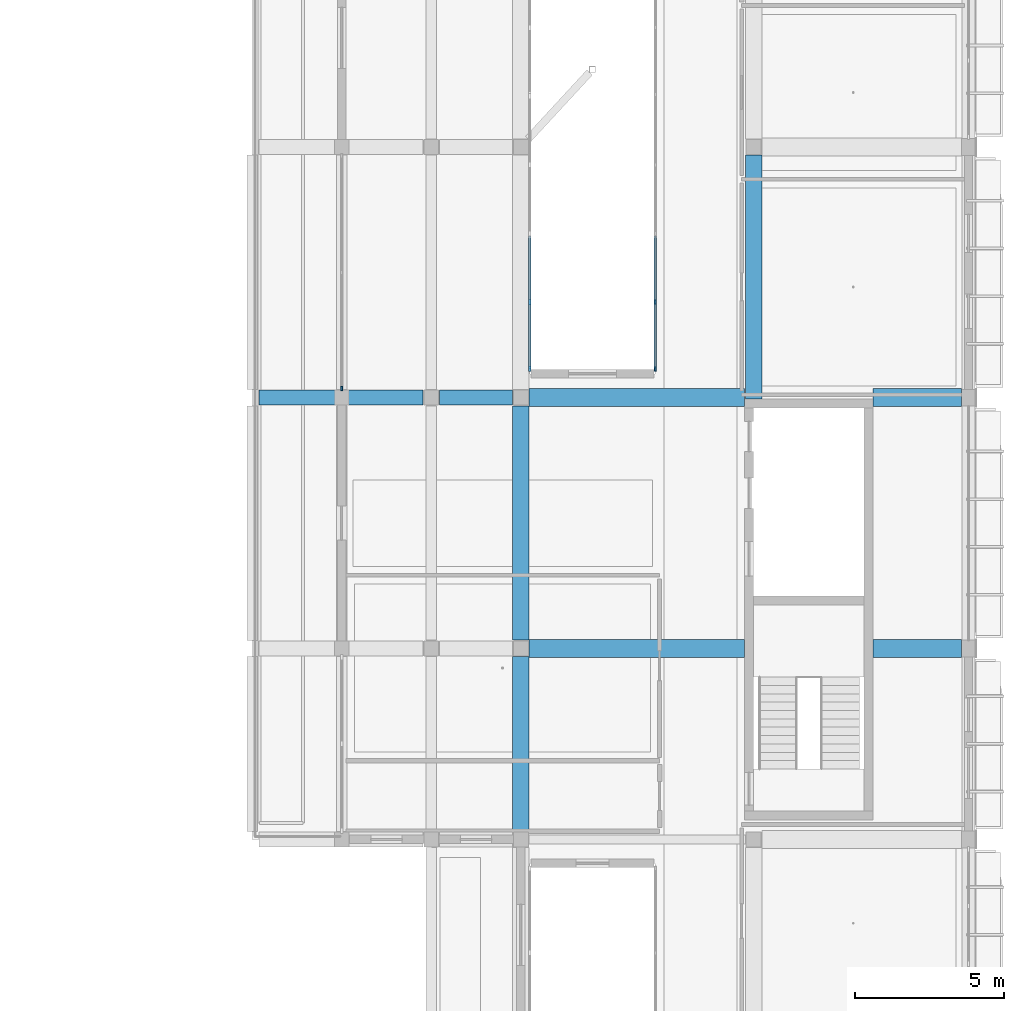
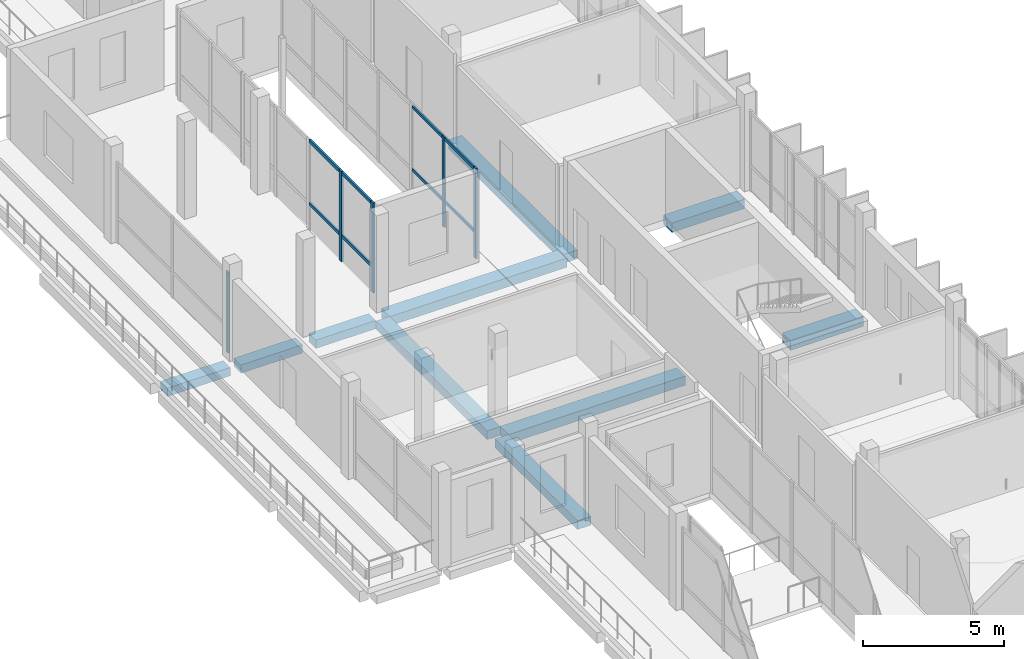
# One storey, part 23 of 85: 10 beams, 9 members, 3 elements without a shape of their own.
"""IFC4 building model written with IfcOpenShell, lengths in metres."""

from ifc_helpers import new_model, si_unit, derived_unit, direction, frame, origin, origin_2d, place, context, subcontext, project, spatial, rectangle, extrude, material, material_profile, profile_set, type_object, element, aggregate, save


model = new_model("IFC4")

# Units and contexts
model_context = context("Model", 3, precision=1e-05, world=origin(), true_north=direction((0.0, 1.0)))
body_context = subcontext(model_context, "Body", "Model", "MODEL_VIEW")
ifc_project = project(units=[si_unit("LENGTHUNIT", "METRE"), si_unit("AREAUNIT", "SQUARE_METRE"), si_unit("VOLUMEUNIT", "CUBIC_METRE"), si_unit("PLANEANGLEUNIT", "RADIAN"), si_unit("MASSUNIT", "GRAM", prefix="KILO"), derived_unit("THERMALTRANSMITTANCEUNIT", [(si_unit("POWERUNIT", "WATT"), 1), (si_unit("LENGTHUNIT", "METRE"), -2), (si_unit("THERMODYNAMICTEMPERATUREUNIT", "KELVIN"), -1)])], contexts=[model_context])

# Site, building, storey
site_placement = place(None, origin())
site = spatial("IfcSite", under=ifc_project, at=site_placement, CompositionType="ELEMENT")
building_placement = place(site_placement, origin())
building = spatial("IfcBuilding", under=site, at=building_placement, Name="Braskholm Square Health Centre", CompositionType="ELEMENT")
storey_placement = place(building_placement, frame((0.0, 0.0, 9.300048828125)))
storey = spatial("IfcBuildingStorey", under=building, at=storey_placement, Name="L03", CompositionType="ELEMENT", Elevation=9.300048828125)

# Curtain wall, member
ifc_material_1 = material(Name="Low-E triple insulating glass (VLT 0.64)", Category="glass")
curtain_wall_type_1 = type_object("IfcCurtainWallType", Name="UnitisedCurtainWall6200x3650", PredefinedType="NOTDEFINED", material=ifc_material_1)
curtain_wall_1_placement = place(storey_placement, origin())
curtain_wall_1 = element("IfcCurtainWall", 1, at=curtain_wall_1_placement, inside=storey, type_object=curtain_wall_type_1, Name="East Valley unitised curtain wall CW-L03-0126", PredefinedType="NOTDEFINED")
ifc_material_2 = material(Name="Architectural bronze anodised aluminium", Category="aluminium")
ifc_material_profile_1 = material_profile(ifc_material_2, rectangle(XDim=0.06494140625, YDim=0.14990234375, at=origin_2d()), Name="ALU-65X150")
ifc_profile_set_1 = profile_set([ifc_material_profile_1], Name="Architectural bronze anodised aluminium")
member_type_1 = type_object("IfcMemberType", Name="CurtainWallMullion65x150", PredefinedType="MULLION", material=ifc_profile_set_1)
member_1_placement = place(storey_placement, frame((142.800048828125, 64.107421875, 0.0), z_axis=(0.0, 0.0, 1.0), x_axis=(1.0, 0.0, 0.0)))
member_1 = element("IfcMember", 2, at=member_1_placement, type_object=member_type_1, Name="CW-L03-0126 vertical mullion 3", PredefinedType="MULLION", context=body_context, shape_type="SweptSolid", body=[
    extrude(rectangle(XDim=0.06494140625, YDim=0.14990234375, at=origin_2d()), origin(), (0.0, 0.0, 1.0), 3.489990234375),
])
aggregate(curtain_wall_1, [member_1])

# Curtain wall, members
curtain_wall_type_2 = type_object("IfcCurtainWallType", Name="UnitisedCurtainWall4800x3800", PredefinedType="NOTDEFINED", material=ifc_material_1)
curtain_wall_2_placement = place(storey_placement, origin())
curtain_wall_2 = element("IfcCurtainWall", 3, at=curtain_wall_2_placement, inside=storey, type_object=curtain_wall_type_2, Name="EC2 Court E unitised curtain wall CW-L03-0364", PredefinedType="NOTDEFINED")
member_2_placement = place(storey_placement, frame((153.300048828125, 67.0009765625, 0.0), z_axis=(0.0, 0.0, 1.0), x_axis=(1.0, 0.0, 0.0)))
member_2 = element("IfcMember", 4, at=member_2_placement, type_object=member_type_1, Name="CW-L03-0364 vertical mullion 2", PredefinedType="MULLION", context=body_context, shape_type="SweptSolid", body=[
    extrude(rectangle(XDim=0.06494140625, YDim=0.14990234375, at=origin_2d()), origin(), (0.0, 0.0, 1.0), 3.89990234375),
])
member_3_placement = place(storey_placement, frame((153.300048828125, 64.76708984375, 0.0), z_axis=(0.0, 0.0, 1.0), x_axis=(1.0, 0.0, 0.0)))
member_3 = element("IfcMember", 5, at=member_3_placement, type_object=member_type_1, Name="CW-L03-0364 vertical mullion 3", PredefinedType="MULLION", context=body_context, shape_type="SweptSolid", body=[
    extrude(rectangle(XDim=0.06494140625, YDim=0.14990234375, at=origin_2d()), origin(), (0.0, 0.0, 1.0), 3.89990234375),
])

curtain_wall_3_placement = place(storey_placement, origin())
curtain_wall_3 = element("IfcCurtainWall", 6, at=curtain_wall_3_placement, inside=storey, type_object=curtain_wall_type_2, Name="EC2 Court W unitised curtain wall CW-L03-0363", PredefinedType="NOTDEFINED")
ifc_material_profile_2 = material_profile(ifc_material_2, rectangle(XDim=0.074951171875, YDim=0.179931640625, at=origin_2d()), Name="ALU-75X180")
ifc_profile_set_2 = profile_set([ifc_material_profile_2], Name="Architectural bronze anodised aluminium")
member_type_2 = type_object("IfcMemberType", Name="CurtainWallMullion75x180", PredefinedType="MULLION", material=ifc_profile_set_2)
member_4_placement = place(storey_placement, frame((149.10009765625, 64.76708984375, 0.0), z_axis=(0.0, 0.0, 1.0), x_axis=(1.0, 0.0, 0.0)))
member_4 = element("IfcMember", 7, at=member_4_placement, type_object=member_type_2, Name="CW-L03-0363 vertical mullion 1", PredefinedType="MULLION", context=body_context, shape_type="SweptSolid", body=[
    extrude(rectangle(XDim=0.074951171875, YDim=0.179931640625, at=origin_2d()), origin(), (0.0, 0.0, 1.0), 3.89990234375),
])
member_5_placement = place(storey_placement, frame((149.10009765625, 67.0009765625, 0.0), z_axis=(0.0, 0.0, 1.0), x_axis=(1.0, 0.0, 0.0)))
member_5 = element("IfcMember", 8, at=member_5_placement, type_object=member_type_2, Name="CW-L03-0363 vertical mullion 2", PredefinedType="MULLION", context=body_context, shape_type="SweptSolid", body=[
    extrude(rectangle(XDim=0.074951171875, YDim=0.179931640625, at=origin_2d()), origin(), (0.0, 0.0, 1.0), 3.89990234375),
])

# Member
ifc_material_profile_3 = material_profile(ifc_material_2, rectangle(XDim=0.06494140625, YDim=0.1201171875, at=origin_2d()), Name="ALU-65X120")
ifc_profile_set_3 = profile_set([ifc_material_profile_3], Name="Architectural bronze anodised aluminium")
member_type_3 = type_object("IfcMemberType", Name="CurtainWallTransom65x120", PredefinedType="USERDEFINED", material=ifc_profile_set_3)
member_6_placement = place(storey_placement, frame((153.300048828125, 69.217041015625, 1.119873046875), z_axis=(0.0, -1.0, 0.0), x_axis=(1.0, 0.0, 0.0)))
member_6 = element("IfcMember", 9, at=member_6_placement, type_object=member_type_3, Name="CW-L03-0364 horizontal transom 1", ObjectType="TRANSOM", PredefinedType="USERDEFINED", context=body_context, shape_type="SweptSolid", body=[
    extrude(rectangle(XDim=0.06494140625, YDim=0.1201171875, at=origin_2d()), origin(), (0.0, 0.0, 1.0), 4.43212890625),
])

member_7_placement = place(storey_placement, frame((153.300048828125, 69.217041015625, 3.829833984375), z_axis=(0.0, -1.0, 0.0), x_axis=(1.0, 0.0, 0.0)))
member_7 = element("IfcMember", 10, at=member_7_placement, type_object=member_type_3, Name="CW-L03-0364 horizontal transom 2", ObjectType="TRANSOM", PredefinedType="USERDEFINED", context=body_context, shape_type="SweptSolid", body=[
    extrude(rectangle(XDim=0.06494140625, YDim=0.1201171875, at=origin_2d()), origin(), (0.0, 0.0, 1.0), 4.43212890625),
])

aggregate(curtain_wall_2, [member_2, member_3, member_6, member_7])

ifc_material_profile_4 = material_profile(ifc_material_2, rectangle(XDim=0.074951171875, YDim=0.139892578125, at=origin_2d()), Name="ALU-75X140")
ifc_profile_set_4 = profile_set([ifc_material_profile_4], Name="Architectural bronze anodised aluminium")
member_type_4 = type_object("IfcMemberType", Name="CurtainWallTransom75x140", PredefinedType="USERDEFINED", material=ifc_profile_set_4)
member_8_placement = place(storey_placement, frame((149.10009765625, 64.784912109375, 1.119873046875), z_axis=(0.0, 1.0, 0.0), x_axis=(-1.0, 0.0, 0.0)))
member_8 = element("IfcMember", 11, at=member_8_placement, type_object=member_type_4, Name="CW-L03-0363 horizontal transom 1", ObjectType="TRANSOM", PredefinedType="USERDEFINED", context=body_context, shape_type="SweptSolid", body=[
    extrude(rectangle(XDim=0.074951171875, YDim=0.139892578125, at=origin_2d()), origin(), (0.0, 0.0, 1.0), 4.43212890625),
])

member_9_placement = place(storey_placement, frame((149.10009765625, 64.784912109375, 3.829833984375), z_axis=(0.0, 1.0, 0.0), x_axis=(-1.0, 0.0, 0.0)))
member_9 = element("IfcMember", 12, at=member_9_placement, type_object=member_type_4, Name="CW-L03-0363 horizontal transom 2", ObjectType="TRANSOM", PredefinedType="USERDEFINED", context=body_context, shape_type="SweptSolid", body=[
    extrude(rectangle(XDim=0.074951171875, YDim=0.139892578125, at=origin_2d()), origin(), (0.0, 0.0, 1.0), 4.43212890625),
])

aggregate(curtain_wall_3, [member_4, member_5, member_8, member_9])

# Beams
ifc_material_3 = material(Name="Concrete C35/45 (f'c = 35 MPa)", Category="concrete")
ifc_material_profile_5 = material_profile(ifc_material_3, rectangle(XDim=0.5, YDim=0.360107421875, at=origin_2d()), Name="RCB-500X360")
ifc_profile_set_5 = profile_set([ifc_material_profile_5], Name="Concrete C35/45 (f'c = 35 MPa)")
beam_type_1 = type_object("IfcBeamType", Name="PrimaryBandBeam500x360", PredefinedType="BEAM", material=ifc_profile_set_5)
beam_1_placement = place(storey_placement, frame((140.02001953125, 63.800048828125, -0.429931640625), z_axis=(1.0, 0.0, 0.0), x_axis=(0.0, 1.0, 0.0)))
element("IfcBeam", 13, at=beam_1_placement, inside=storey, type_object=beam_type_1, Name="Beam 17-18/K L03", PredefinedType="BEAM", context=body_context, shape_type="SweptSolid", body=[
    extrude(rectangle(XDim=0.5, YDim=0.360107421875, at=origin_2d()), origin(), (0.0, 0.0, 1.0), 2.56005859375),
])
beam_2_placement = place(storey_placement, frame((143.02001953125, 63.800048828125, -0.47998046875), z_axis=(1.0, 0.0, 0.0), x_axis=(0.0, 1.0, 0.0)))
element("IfcBeam", 14, at=beam_2_placement, inside=storey, type_object=beam_type_1, Name="Beam 18-19/K L03", PredefinedType="BEAM", context=body_context, shape_type="SweptSolid", body=[
    extrude(rectangle(XDim=0.5, YDim=0.360107421875, at=origin_2d()), origin(), (0.0, 0.0, 1.0), 2.5048828125),
])
beam_3_placement = place(storey_placement, frame((146.074951171875, 63.800048828125, -0.47998046875), z_axis=(1.0, 0.0, 0.0), x_axis=(0.0, 1.0, 0.0)))
element("IfcBeam", 15, at=beam_3_placement, inside=storey, type_object=beam_type_1, Name="Beam 19-20/K L03", PredefinedType="BEAM", context=body_context, shape_type="SweptSolid", body=[
    extrude(rectangle(XDim=0.5, YDim=0.360107421875, at=origin_2d()), origin(), (0.0, 0.0, 1.0), 2.449951171875),
])
ifc_material_profile_6 = material_profile(ifc_material_3, rectangle(XDim=0.550048828125, YDim=0.3798828125, at=origin_2d()), Name="RCB-550X380")
ifc_profile_set_6 = profile_set([ifc_material_profile_6], Name="Concrete C35/45 (f'c = 35 MPa)")
beam_type_2 = type_object("IfcBeamType", Name="PrimaryBandBeam550x380", PredefinedType="BEAM", material=ifc_profile_set_6)
beam_4_placement = place(storey_placement, frame((148.800048828125, 49.27490234375, -0.489990234375), z_axis=(0.0, 1.0, 0.0), x_axis=(-1.0, 0.0, 0.0)))
element("IfcBeam", 16, at=beam_4_placement, inside=storey, type_object=beam_type_2, Name="Beam 20/H-J L03", PredefinedType="BEAM", context=body_context, shape_type="SweptSolid", body=[
    extrude(rectangle(XDim=0.550048828125, YDim=0.3798828125, at=origin_2d()), origin(), (0.0, 0.0, 1.0), 5.85009765625),
])
beam_5_placement = place(storey_placement, frame((148.800048828125, 55.675048828125, -0.489990234375), z_axis=(0.0, 1.0, 0.0), x_axis=(-1.0, 0.0, 0.0)))
element("IfcBeam", 17, at=beam_5_placement, inside=storey, type_object=beam_type_2, Name="Beam 20/J-K L03", PredefinedType="BEAM", context=body_context, shape_type="SweptSolid", body=[
    extrude(rectangle(XDim=0.550048828125, YDim=0.3798828125, at=origin_2d()), origin(), (0.0, 0.0, 1.0), 7.849853515625),
])
beam_6_placement = place(storey_placement, frame((156.60009765625, 63.75, -0.489990234375), z_axis=(0.0, 1.0, 0.0), x_axis=(-1.0, 0.0, 0.0)))
element("IfcBeam", 18, at=beam_6_placement, inside=storey, type_object=beam_type_2, Name="Beam 21/H-L L03", PredefinedType="BEAM", context=body_context, shape_type="SweptSolid", body=[
    extrude(rectangle(XDim=0.550048828125, YDim=0.3798828125, at=origin_2d()), origin(), (0.0, 0.0, 1.0), 8.175048828125),
])
ifc_material_profile_7 = material_profile(ifc_material_3, rectangle(XDim=0.60009765625, YDim=0.39990234375, at=origin_2d()), Name="RCB-600X400")
ifc_profile_set_7 = profile_set([ifc_material_profile_7], Name="Concrete C35/45 (f'c = 35 MPa)")
beam_type_3 = type_object("IfcBeamType", Name="PrimaryBandBeam600x400", PredefinedType="BEAM", material=ifc_profile_set_7)
beam_7_placement = place(storey_placement, frame((149.074951171875, 55.39990234375, -0.5), z_axis=(1.0, 0.0, 0.0), x_axis=(0.0, 1.0, 0.0)))
element("IfcBeam", 19, at=beam_7_placement, inside=storey, type_object=beam_type_3, Name="Beam 20-22/J L03", PredefinedType="BEAM", context=body_context, shape_type="SweptSolid", body=[
    extrude(rectangle(XDim=0.60009765625, YDim=0.39990234375, at=origin_2d()), origin(), (0.0, 0.0, 1.0), 7.22509765625),
])
beam_8_placement = place(storey_placement, frame((160.60009765625, 55.39990234375, -0.5), z_axis=(1.0, 0.0, 0.0), x_axis=(0.0, 1.0, 0.0)))
element("IfcBeam", 20, at=beam_8_placement, inside=storey, type_object=beam_type_3, Name="Beam 20-22/J L03", PredefinedType="BEAM", context=body_context, shape_type="SweptSolid", body=[
    extrude(rectangle(XDim=0.60009765625, YDim=0.39990234375, at=origin_2d()), origin(), (0.0, 0.0, 1.0), 2.969970703125),
])
beam_9_placement = place(storey_placement, frame((149.074951171875, 63.800048828125, -0.5), z_axis=(1.0, 0.0, 0.0), x_axis=(0.0, 1.0, 0.0)))
element("IfcBeam", 21, at=beam_9_placement, inside=storey, type_object=beam_type_3, Name="Beam 20-22/K L03", PredefinedType="BEAM", context=body_context, shape_type="SweptSolid", body=[
    extrude(rectangle(XDim=0.60009765625, YDim=0.39990234375, at=origin_2d()), origin(), (0.0, 0.0, 1.0), 7.22509765625),
])
beam_10_placement = place(storey_placement, frame((160.60009765625, 63.800048828125, -0.5), z_axis=(1.0, 0.0, 0.0), x_axis=(0.0, 1.0, 0.0)))
element("IfcBeam", 22, at=beam_10_placement, inside=storey, type_object=beam_type_3, Name="Beam 20-22/K L03", PredefinedType="BEAM", context=body_context, shape_type="SweptSolid", body=[
    extrude(rectangle(XDim=0.60009765625, YDim=0.39990234375, at=origin_2d()), origin(), (0.0, 0.0, 1.0), 2.969970703125),
])

save(model, "model.ifc")
